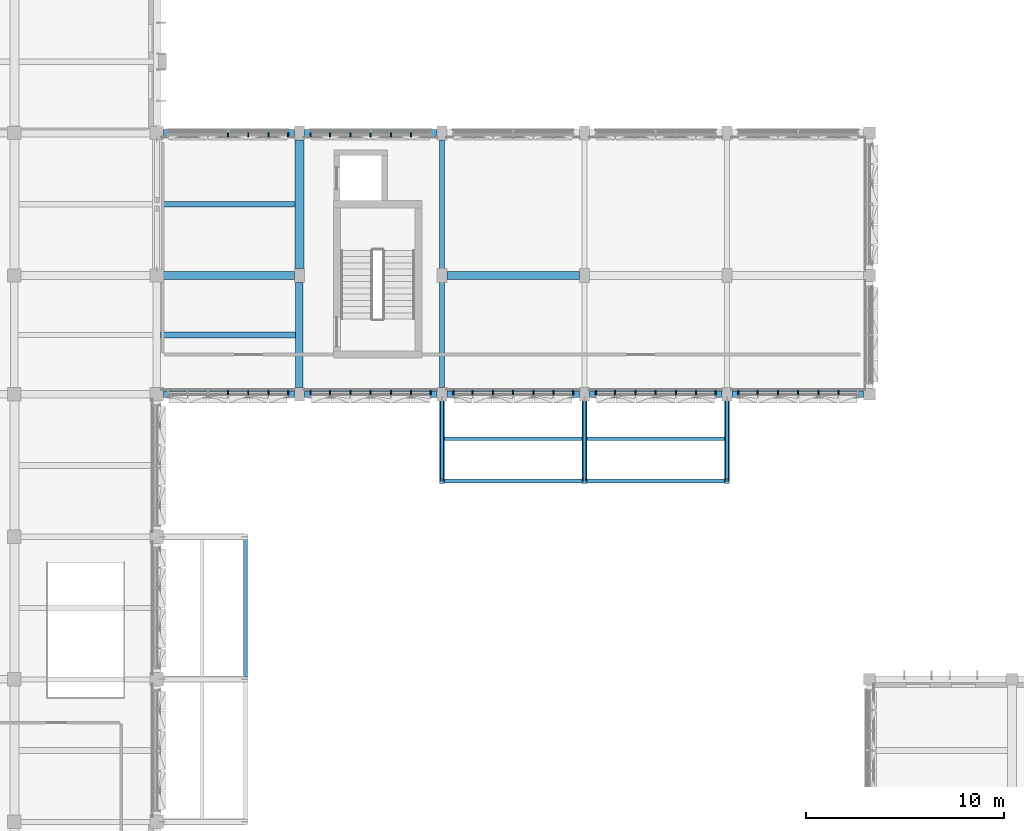
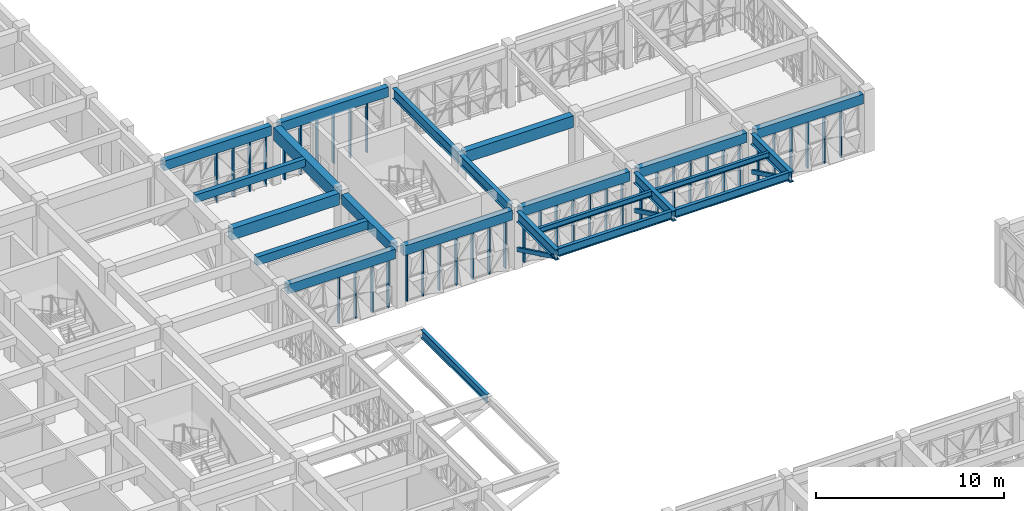
# One storey, part 9 of 88: 44 members, 22 beams, 7 elements without a shape of their own.
"""IFC4 building model written with IfcOpenShell, lengths in metres."""

from ifc_helpers import new_model, si_unit, direction, frame, origin, origin_2d, place, context, subcontext, project, spatial, rectangle, hollow_rectangle, i_section, extrude, material, material_profile, profile_set, type_object, element, aggregate, save


model = new_model("IFC4")

# Units and contexts
model_context = context("Model", 3, precision=1e-05, world=origin(), true_north=direction((0.0, 1.0)))
body_context = subcontext(model_context, "Body", "Model", "MODEL_VIEW")
ifc_project = project(units=[si_unit("LENGTHUNIT", "METRE"), si_unit("AREAUNIT", "SQUARE_METRE"), si_unit("VOLUMEUNIT", "CUBIC_METRE"), si_unit("PLANEANGLEUNIT", "RADIAN"), si_unit("MASSUNIT", "GRAM", prefix="KILO")], contexts=[model_context])

# Site, building, storey
site_placement = place(None, origin())
site = spatial("IfcSite", under=ifc_project, at=site_placement, CompositionType="ELEMENT")
building_placement = place(site_placement, origin())
building = spatial("IfcBuilding", under=site, at=building_placement, Name="Alvorim Cloister Faculty of Sciences", CompositionType="ELEMENT")
storey_placement = place(building_placement, frame((0.0, 0.0, 4.5)))
storey = spatial("IfcBuildingStorey", under=building, at=storey_placement, Name="L01", CompositionType="ELEMENT", Elevation=4.5)

# Beams
ifc_material_1 = material(Name="Concrete C40", Category="concrete")
ifc_material_profile_1 = material_profile(ifc_material_1, rectangle(XDim=0.260009765625, YDim=0.5, at=origin_2d()), Name="RC40-JST-260x500")
ifc_profile_set_1 = profile_set([ifc_material_profile_1], Name="Concrete C40")
beam_type_1 = type_object("IfcBeamType", Name="BM-JST-RC-260x500", PredefinedType="JOIST", material=ifc_profile_set_1)
beam_1_placement = place(storey_placement, frame((29.02490234375, 52.800048828125, 3.5400390625), z_axis=(1.0, 0.0, 0.0), x_axis=(0.0, 1.0, 0.0)))
element("IfcBeam", 1, at=beam_1_placement, inside=storey, type_object=beam_type_1, Name="L01 Secondary Floor Joist BM-1197", PredefinedType="JOIST", context=body_context, shape_type="SweptSolid", body=[
    extrude(rectangle(XDim=0.260009765625, YDim=0.5, at=origin_2d()), origin(), (0.0, 0.0, 1.0), 6.75),
])
ifc_material_profile_2 = material_profile(ifc_material_1, rectangle(XDim=0.300048828125, YDim=0.550048828125, at=origin_2d()), Name="RC40-JST-300x550")
ifc_profile_set_2 = profile_set([ifc_material_profile_2], Name="Concrete C40")
beam_type_2 = type_object("IfcBeamType", Name="BM-JST-RC-300x550", PredefinedType="JOIST", material=ifc_profile_set_2)
beam_2_placement = place(storey_placement, frame((28.989990234375, 46.199951171875, 3.514892578125), z_axis=(1.0, 0.0, 0.0), x_axis=(0.0, 1.0, 0.0)))
element("IfcBeam", 2, at=beam_2_placement, inside=storey, type_object=beam_type_2, Name="L01 Secondary Floor Joist BM-1196", PredefinedType="JOIST", context=body_context, shape_type="SweptSolid", body=[
    extrude(rectangle(XDim=0.300048828125, YDim=0.550048828125, at=origin_2d()), origin(), (0.0, 0.0, 1.0), 6.820068359375),
])
ifc_material_profile_3 = material_profile(ifc_material_1, rectangle(XDim=0.3798828125, YDim=0.64990234375, at=origin_2d()), Name="RC40-BM-380x650")
ifc_profile_set_3 = profile_set([ifc_material_profile_3], Name="Concrete C40")
beam_type_3 = type_object("IfcBeamType", Name="BM-RC-380x650", PredefinedType="BEAM", material=ifc_profile_set_3)
beam_3_placement = place(storey_placement, frame((36.0, 43.550048828125, 3.465087890625), z_axis=(0.0, 1.0, 0.0), x_axis=(-1.0, 0.0, 0.0)))
element("IfcBeam", 3, at=beam_3_placement, inside=storey, type_object=beam_type_3, Name="L01 Primary Girder BM-1094", PredefinedType="BEAM", context=body_context, shape_type="SweptSolid", body=[
    extrude(rectangle(XDim=0.3798828125, YDim=0.64990234375, at=origin_2d()), origin(), (0.0, 0.0, 1.0), 5.300048828125),
])
ifc_material_profile_4 = material_profile(ifc_material_1, rectangle(XDim=0.39990234375, YDim=0.75, at=origin_2d()), Name="RC40-BM-400x750")
ifc_profile_set_4 = profile_set([ifc_material_profile_4], Name="Concrete C40")
beam_type_4 = type_object("IfcBeamType", Name="BM-RC-400x750", PredefinedType="BEAM", material=ifc_profile_set_4)
beam_4_placement = place(storey_placement, frame((29.139892578125, 49.199951171875, 3.4150390625), z_axis=(1.0, 0.0, 0.0), x_axis=(0.0, 1.0, 0.0)))
element("IfcBeam", 4, at=beam_4_placement, inside=storey, type_object=beam_type_4, Name="L01 Primary Beam BM-0977", PredefinedType="BEAM", context=body_context, shape_type="SweptSolid", body=[
    extrude(rectangle(XDim=0.39990234375, YDim=0.75, at=origin_2d()), origin(), (0.0, 0.0, 1.0), 6.610107421875),
])
beam_5_placement = place(storey_placement, frame((43.449951171875, 49.199951171875, 3.4150390625), z_axis=(1.0, 0.0, 0.0), x_axis=(0.0, 1.0, 0.0)))
element("IfcBeam", 5, at=beam_5_placement, inside=storey, type_object=beam_type_4, Name="L01 Primary Beam BM-0978", PredefinedType="BEAM", context=body_context, shape_type="SweptSolid", body=[
    extrude(rectangle(XDim=0.39990234375, YDim=0.75, at=origin_2d()), origin(), (0.0, 0.0, 1.0), 6.699951171875),
])
ifc_material_profile_5 = material_profile(ifc_material_1, rectangle(XDim=0.449951171875, YDim=0.85009765625, at=origin_2d()), Name="RC40-BM-450x850")
ifc_profile_set_5 = profile_set([ifc_material_profile_5], Name="Concrete C40")
beam_type_5 = type_object("IfcBeamType", Name="BM-RC-450x850", PredefinedType="BEAM", material=ifc_profile_set_5)
beam_6_placement = place(storey_placement, frame((36.0, 49.550048828125, 3.364990234375), z_axis=(0.0, 1.0, 0.0), x_axis=(-1.0, 0.0, 0.0)))
element("IfcBeam", 6, at=beam_6_placement, inside=storey, type_object=beam_type_5, Name="L01 Primary Girder BM-1095", PredefinedType="BEAM", context=body_context, shape_type="SweptSolid", body=[
    extrude(rectangle(XDim=0.449951171875, YDim=0.85009765625, at=origin_2d()), origin(), (0.0, 0.0, 1.0), 6.5),
])
ifc_material_profile_6 = material_profile(ifc_material_1, rectangle(XDim=0.35009765625, YDim=0.6201171875, at=origin_2d()), Name="RC40-SPD-350x620")
ifc_profile_set_6 = profile_set([ifc_material_profile_6], Name="Concrete C40")
beam_type_6 = type_object("IfcBeamType", Name="BM-SPD-RC-350x620", PredefinedType="SPANDREL", material=ifc_profile_set_6)
beam_7_placement = place(storey_placement, frame((29.139892578125, 43.199951171875, 3.47998046875), z_axis=(1.0, 0.0, 0.0), x_axis=(0.0, 1.0, 0.0)))
element("IfcBeam", 7, at=beam_7_placement, inside=storey, type_object=beam_type_6, Name="L01 Primary Beam BM-0969", PredefinedType="SPANDREL", context=body_context, shape_type="SweptSolid", body=[
    extrude(rectangle(XDim=0.35009765625, YDim=0.6201171875, at=origin_2d()), origin(), (0.0, 0.0, 1.0), 6.610107421875),
])
for number, where, z_axis, x_axis, name in (
    (8, (36.25, 43.199951171875, 3.47998046875), (1.0, 0.0, 0.0), (0.0, 1.0, 0.0), "L01 Primary Beam BM-0970"),
    (9, (43.449951171875, 43.199951171875, 3.47998046875), (1.0, 0.0, 0.0), (0.0, 1.0, 0.0), "L01 Primary Beam BM-0971"),
):
    element("IfcBeam", number, at=place(storey_placement, frame(where, z_axis=z_axis, x_axis=x_axis)), inside=storey, type_object=beam_type_6, Name=name, PredefinedType="SPANDREL", context=body_context, shape_type="SweptSolid", body=[
        extrude(rectangle(XDim=0.35009765625, YDim=0.6201171875, at=origin_2d()), origin(), (0.0, 0.0, 1.0), 6.699951171875),
    ])
beam_8_placement = place(storey_placement, frame((50.64990234375, 43.199951171875, 3.47998046875), z_axis=(1.0, 0.0, 0.0), x_axis=(0.0, 1.0, 0.0)))
element("IfcBeam", 10, at=beam_8_placement, inside=storey, type_object=beam_type_6, Name="L01 Primary Beam BM-0972", PredefinedType="SPANDREL", context=body_context, shape_type="SweptSolid", body=[
    extrude(rectangle(XDim=0.35009765625, YDim=0.6201171875, at=origin_2d()), origin(), (0.0, 0.0, 1.0), 6.7001953125),
])
beam_9_placement = place(storey_placement, frame((57.85009765625, 43.199951171875, 3.47998046875), z_axis=(1.0, 0.0, 0.0), x_axis=(0.0, 1.0, 0.0)))
element("IfcBeam", 11, at=beam_9_placement, inside=storey, type_object=beam_type_6, Name="L01 Primary Beam BM-0973", PredefinedType="SPANDREL", context=body_context, shape_type="SweptSolid", body=[
    extrude(rectangle(XDim=0.35009765625, YDim=0.6201171875, at=origin_2d()), origin(), (0.0, 0.0, 1.0), 6.64990234375),
])
beam_10_placement = place(storey_placement, frame((29.139892578125, 56.39990234375, 3.47998046875), z_axis=(1.0, 0.0, 0.0), x_axis=(0.0, 1.0, 0.0)))
element("IfcBeam", 12, at=beam_10_placement, inside=storey, type_object=beam_type_6, Name="L01 Primary Beam BM-0985", PredefinedType="SPANDREL", context=body_context, shape_type="SweptSolid", body=[
    extrude(rectangle(XDim=0.35009765625, YDim=0.6201171875, at=origin_2d()), origin(), (0.0, 0.0, 1.0), 6.610107421875),
])
beam_11_placement = place(storey_placement, frame((36.25, 56.39990234375, 3.47998046875), z_axis=(1.0, 0.0, 0.0), x_axis=(0.0, 1.0, 0.0)))
element("IfcBeam", 13, at=beam_11_placement, inside=storey, type_object=beam_type_6, Name="L01 Primary Beam BM-0986", PredefinedType="SPANDREL", context=body_context, shape_type="SweptSolid", body=[
    extrude(rectangle(XDim=0.35009765625, YDim=0.6201171875, at=origin_2d()), origin(), (0.0, 0.0, 1.0), 6.699951171875),
])
ifc_material_2 = material(Name="Steel ASTM A572 Grade 50", Category="steel")
ifc_material_profile_7 = material_profile(ifc_material_2, i_section(OverallWidth=0.1708984375, OverallDepth=0.35498046875, WebThickness=0.007080078125, FlangeThickness=0.01171875, FilletRadius=0.012939453125, at=origin_2d()), Name="W360x51.0")
ifc_profile_set_7 = profile_set([ifc_material_profile_7], Name="Steel ASTM A572 Grade 50")
beam_type_7 = type_object("IfcBeamType", Name="BM-STL-W360", PredefinedType="JOIST", material=ifc_profile_set_7)
for number, where, z_axis, x_axis, name in (
    (14, (43.31005859375, 40.949951171875, 3.612548828125), (1.0, 0.0, 0.0), (0.0, 1.0, 0.0), "L01 Cantilever Deck Joist BM-0038"),
    (15, (50.510009765625, 40.949951171875, 3.612548828125), (1.0, 0.0, 0.0), (0.0, 1.0, 0.0), "L01 Cantilever Deck Joist BM-0040"),
):
    element("IfcBeam", number, at=place(storey_placement, frame(where, z_axis=z_axis, x_axis=x_axis)), inside=storey, type_object=beam_type_7, Name=name, PredefinedType="JOIST", context=body_context, shape_type="SweptSolid", body=[
        extrude(i_section(OverallWidth=0.1708984375, OverallDepth=0.35498046875, WebThickness=0.007080078125, FlangeThickness=0.01171875, FilletRadius=0.012939453125, at=origin_2d()), origin(), (0.0, 0.0, 1.0), 6.97998046875),
    ])
ifc_material_profile_8 = material_profile(ifc_material_2, i_section(OverallWidth=0.208984375, OverallDepth=0.532958984375, WebThickness=0.01025390625, FlangeThickness=0.015625, FilletRadius=0.01611328125, at=origin_2d()), Name="W530x92.0")
ifc_profile_set_8 = profile_set([ifc_material_profile_8], Name="Steel ASTM A572 Grade 50")
beam_type_8 = type_object("IfcBeamType", Name="BM-STL-W530", PredefinedType="BEAM", material=ifc_profile_set_8)
for number, where, z_axis, x_axis, name in (
    (16, (33.280029296875, 28.909912109375, 3.5234375), (0.0, 1.0, 0.0), (-1.0, 0.0, 0.0), "L01 Cantilever Tip Header Girder BM-0009"),
    (17, (43.31005859375, 38.820068359375, 3.5234375), (1.0, 0.0, 0.0), (0.0, 1.0, 0.0), "L01 Cantilever Tip Header Girder BM-0037"),
    (18, (50.510009765625, 38.820068359375, 3.5234375), (1.0, 0.0, 0.0), (0.0, 1.0, 0.0), "L01 Cantilever Tip Header Girder BM-0039"),
):
    element("IfcBeam", number, at=place(storey_placement, frame(where, z_axis=z_axis, x_axis=x_axis)), inside=storey, type_object=beam_type_8, Name=name, PredefinedType="BEAM", context=body_context, shape_type="SweptSolid", body=[
        extrude(i_section(OverallWidth=0.208984375, OverallDepth=0.532958984375, WebThickness=0.01025390625, FlangeThickness=0.015625, FilletRadius=0.01611328125, at=origin_2d()), origin(), (0.0, 0.0, 1.0), 6.97998046875),
    ])
ifc_material_profile_9 = material_profile(ifc_material_2, i_section(OverallWidth=0.25390625, OverallDepth=0.68408203125, WebThickness=0.012451171875, FlangeThickness=0.01904296875, FilletRadius=0.01904296875, at=origin_2d()), Name="W690x140.0")
ifc_profile_set_9 = profile_set([ifc_material_profile_9], Name="Steel ASTM A572 Grade 50")
beam_type_9 = type_object("IfcBeamType", Name="BM-STL-W690", PredefinedType="BEAM", material=ifc_profile_set_9)
beam_12_placement = place(storey_placement, frame((43.199951171875, 43.550048828125, 3.447998046875), z_axis=(0.0, 1.0, 0.0), x_axis=(-1.0, 0.0, 0.0)))
element("IfcBeam", 19, at=beam_12_placement, inside=storey, type_object=beam_type_9, Name="L01 Cantilever Backspan Girder BM-0031", PredefinedType="BEAM", context=body_context, shape_type="SweptSolid", body=[
    extrude(i_section(OverallWidth=0.25390625, OverallDepth=0.68408203125, WebThickness=0.012451171875, FlangeThickness=0.01904296875, FilletRadius=0.01904296875, at=origin_2d()), origin(), (0.0, 0.0, 1.0), 12.5),
])
for number, where, z_axis, x_axis, name in (
    (20, (43.199951171875, 38.699951171875, 3.447998046875), (0.0, 1.0, 0.0), (-1.0, 0.0, 0.0), "L01 Cantilever Overhang Girder BM-0032"),
    (21, (50.39990234375, 38.699951171875, 3.447998046875), (0.0, 1.0, 0.0), (-1.0, 0.0, 0.0), "L01 Cantilever Overhang Girder BM-0034"),
    (22, (57.60009765625, 38.699951171875, 3.447998046875), (0.0, 1.0, 0.0), (-1.0, 0.0, 0.0), "L01 Cantilever Overhang Girder BM-0036"),
):
    element("IfcBeam", number, at=place(storey_placement, frame(where, z_axis=z_axis, x_axis=x_axis)), inside=storey, type_object=beam_type_9, Name=name, PredefinedType="BEAM", context=body_context, shape_type="SweptSolid", body=[
        extrude(i_section(OverallWidth=0.25390625, OverallDepth=0.68408203125, WebThickness=0.012451171875, FlangeThickness=0.01904296875, FilletRadius=0.01904296875, at=origin_2d()), origin(), (0.0, 0.0, 1.0), 4.150146484375),
    ])

# Curtain wall, members
ifc_material_3 = material(Name="Aluminium and Low-E Glass Curtain Wall", Category="aluminium")
curtain_wall_type = type_object("IfcCurtainWallType", Name="CW-TRI-6120x3170", PredefinedType="USERDEFINED", material=ifc_material_3)
curtain_wall_1_placement = place(storey_placement, origin())
curtain_wall_1 = element("IfcCurtainWall", 23, at=curtain_wall_1_placement, inside=storey, type_object=curtain_wall_type, Name="L01 Diagonal Cassette Curtain Wall CW-0012", ObjectType="UNITISED CURTAIN WALL", PredefinedType="USERDEFINED")
ifc_material_4 = material(Name="Aluminium Alloy 6063-T6", Category="aluminium")
ifc_material_profile_10 = material_profile(ifc_material_4, rectangle(XDim=0.074951171875, YDim=0.219970703125, at=origin_2d()), Name="ALU-MUL-75x220")
ifc_profile_set_10 = profile_set([ifc_material_profile_10], Name="Aluminium Alloy 6063-T6")
member_type_1 = type_object("IfcMemberType", Name="CW-MUL-75x220", PredefinedType="MULLION", material=ifc_profile_set_10)
member_1_placement = place(storey_placement, frame((32.39990234375, 56.31005859375, 0.0), z_axis=(0.0, 0.0, 1.0), x_axis=(1.0, 0.0, 0.0)))
member_1 = element("IfcMember", 24, at=member_1_placement, type_object=member_type_1, Name="CW-0012 Mullion 4", PredefinedType="MULLION", context=body_context, shape_type="SweptSolid", body=[
    extrude(rectangle(XDim=0.074951171875, YDim=0.219970703125, at=origin_2d()), origin(), (0.0, 0.0, 1.0), 3.169921875),
])
member_2_placement = place(storey_placement, frame((33.419921875, 56.31005859375, 0.0), z_axis=(0.0, 0.0, 1.0), x_axis=(1.0, 0.0, 0.0)))
member_2 = element("IfcMember", 25, at=member_2_placement, type_object=member_type_1, Name="CW-0012 Mullion 5", PredefinedType="MULLION", context=body_context, shape_type="SweptSolid", body=[
    extrude(rectangle(XDim=0.074951171875, YDim=0.219970703125, at=origin_2d()), origin(), (0.0, 0.0, 1.0), 3.169921875),
])
member_3_placement = place(storey_placement, frame((34.43994140625, 56.31005859375, 0.0), z_axis=(0.0, 0.0, 1.0), x_axis=(1.0, 0.0, 0.0)))
member_3 = element("IfcMember", 26, at=member_3_placement, type_object=member_type_1, Name="CW-0012 Mullion 6", PredefinedType="MULLION", context=body_context, shape_type="SweptSolid", body=[
    extrude(rectangle(XDim=0.074951171875, YDim=0.219970703125, at=origin_2d()), origin(), (0.0, 0.0, 1.0), 3.169921875),
])
member_4_placement = place(storey_placement, frame((35.422607421875, 56.31005859375, 0.0), z_axis=(0.0, 0.0, 1.0), x_axis=(1.0, 0.0, 0.0)))
member_4 = element("IfcMember", 27, at=member_4_placement, type_object=member_type_1, Name="CW-0012 Mullion 7", PredefinedType="MULLION", context=body_context, shape_type="SweptSolid", body=[
    extrude(rectangle(XDim=0.074951171875, YDim=0.219970703125, at=origin_2d()), origin(), (0.0, 0.0, 1.0), 3.169921875),
])
aggregate(curtain_wall_1, [member_1, member_2, member_3, member_4])

curtain_wall_2_placement = place(storey_placement, origin())
curtain_wall_2 = element("IfcCurtainWall", 28, at=curtain_wall_2_placement, inside=storey, type_object=curtain_wall_type, Name="L01 Diagonal Cassette Curtain Wall CW-0013", ObjectType="UNITISED CURTAIN WALL", PredefinedType="USERDEFINED")
member_5_placement = place(storey_placement, frame((36.577392578125, 56.31005859375, 0.0), z_axis=(0.0, 0.0, 1.0), x_axis=(1.0, 0.0, 0.0)))
member_5 = element("IfcMember", 29, at=member_5_placement, type_object=member_type_1, Name="CW-0013 Mullion 1", PredefinedType="MULLION", context=body_context, shape_type="SweptSolid", body=[
    extrude(rectangle(XDim=0.074951171875, YDim=0.219970703125, at=origin_2d()), origin(), (0.0, 0.0, 1.0), 3.169921875),
])
member_6_placement = place(storey_placement, frame((37.56005859375, 56.31005859375, 0.0), z_axis=(0.0, 0.0, 1.0), x_axis=(1.0, 0.0, 0.0)))
member_6 = element("IfcMember", 30, at=member_6_placement, type_object=member_type_1, Name="CW-0013 Mullion 2", PredefinedType="MULLION", context=body_context, shape_type="SweptSolid", body=[
    extrude(rectangle(XDim=0.074951171875, YDim=0.219970703125, at=origin_2d()), origin(), (0.0, 0.0, 1.0), 3.169921875),
])
member_7_placement = place(storey_placement, frame((38.580078125, 56.31005859375, 0.0), z_axis=(0.0, 0.0, 1.0), x_axis=(1.0, 0.0, 0.0)))
member_7 = element("IfcMember", 31, at=member_7_placement, type_object=member_type_1, Name="CW-0013 Mullion 3", PredefinedType="MULLION", context=body_context, shape_type="SweptSolid", body=[
    extrude(rectangle(XDim=0.074951171875, YDim=0.219970703125, at=origin_2d()), origin(), (0.0, 0.0, 1.0), 3.169921875),
])
member_8_placement = place(storey_placement, frame((39.60009765625, 56.31005859375, 0.0), z_axis=(0.0, 0.0, 1.0), x_axis=(1.0, 0.0, 0.0)))
member_8 = element("IfcMember", 32, at=member_8_placement, type_object=member_type_1, Name="CW-0013 Mullion 4", PredefinedType="MULLION", context=body_context, shape_type="SweptSolid", body=[
    extrude(rectangle(XDim=0.074951171875, YDim=0.219970703125, at=origin_2d()), origin(), (0.0, 0.0, 1.0), 3.169921875),
])
member_9_placement = place(storey_placement, frame((40.6201171875, 56.31005859375, 0.0), z_axis=(0.0, 0.0, 1.0), x_axis=(1.0, 0.0, 0.0)))
member_9 = element("IfcMember", 33, at=member_9_placement, type_object=member_type_1, Name="CW-0013 Mullion 5", PredefinedType="MULLION", context=body_context, shape_type="SweptSolid", body=[
    extrude(rectangle(XDim=0.074951171875, YDim=0.219970703125, at=origin_2d()), origin(), (0.0, 0.0, 1.0), 3.169921875),
])
member_10_placement = place(storey_placement, frame((41.639892578125, 56.31005859375, 0.0), z_axis=(0.0, 0.0, 1.0), x_axis=(1.0, 0.0, 0.0)))
member_10 = element("IfcMember", 34, at=member_10_placement, type_object=member_type_1, Name="CW-0013 Mullion 6", PredefinedType="MULLION", context=body_context, shape_type="SweptSolid", body=[
    extrude(rectangle(XDim=0.074951171875, YDim=0.219970703125, at=origin_2d()), origin(), (0.0, 0.0, 1.0), 3.169921875),
])
aggregate(curtain_wall_2, [member_5, member_6, member_7, member_8, member_9, member_10])

curtain_wall_3_placement = place(storey_placement, origin())
curtain_wall_3 = element("IfcCurtainWall", 35, at=curtain_wall_3_placement, inside=storey, type_object=curtain_wall_type, Name="L01 Diagonal Cassette Curtain Wall CW-0019", ObjectType="UNITISED CURTAIN WALL", PredefinedType="USERDEFINED")
member_11_placement = place(storey_placement, frame((58.177490234375, 43.2900390625, 0.0), z_axis=(0.0, 0.0, 1.0), x_axis=(1.0, 0.0, 0.0)))
member_11 = element("IfcMember", 36, at=member_11_placement, type_object=member_type_1, Name="CW-0019 Mullion 1", PredefinedType="MULLION", context=body_context, shape_type="SweptSolid", body=[
    extrude(rectangle(XDim=0.074951171875, YDim=0.219970703125, at=origin_2d()), origin(), (0.0, 0.0, 1.0), 3.169921875),
])
member_12_placement = place(storey_placement, frame((59.159912109375, 43.2900390625, 0.0), z_axis=(0.0, 0.0, 1.0), x_axis=(1.0, 0.0, 0.0)))
member_12 = element("IfcMember", 37, at=member_12_placement, type_object=member_type_1, Name="CW-0019 Mullion 2", PredefinedType="MULLION", context=body_context, shape_type="SweptSolid", body=[
    extrude(rectangle(XDim=0.074951171875, YDim=0.219970703125, at=origin_2d()), origin(), (0.0, 0.0, 1.0), 3.169921875),
])
member_13_placement = place(storey_placement, frame((60.179931640625, 43.2900390625, 0.0), z_axis=(0.0, 0.0, 1.0), x_axis=(1.0, 0.0, 0.0)))
member_13 = element("IfcMember", 38, at=member_13_placement, type_object=member_type_1, Name="CW-0019 Mullion 3", PredefinedType="MULLION", context=body_context, shape_type="SweptSolid", body=[
    extrude(rectangle(XDim=0.074951171875, YDim=0.219970703125, at=origin_2d()), origin(), (0.0, 0.0, 1.0), 3.169921875),
])
member_14_placement = place(storey_placement, frame((61.199951171875, 43.2900390625, 0.0), z_axis=(0.0, 0.0, 1.0), x_axis=(1.0, 0.0, 0.0)))
member_14 = element("IfcMember", 39, at=member_14_placement, type_object=member_type_1, Name="CW-0019 Mullion 4", PredefinedType="MULLION", context=body_context, shape_type="SweptSolid", body=[
    extrude(rectangle(XDim=0.074951171875, YDim=0.219970703125, at=origin_2d()), origin(), (0.0, 0.0, 1.0), 3.169921875),
])
member_15_placement = place(storey_placement, frame((62.219970703125, 43.2900390625, 0.0), z_axis=(0.0, 0.0, 1.0), x_axis=(1.0, 0.0, 0.0)))
member_15 = element("IfcMember", 40, at=member_15_placement, type_object=member_type_1, Name="CW-0019 Mullion 5", PredefinedType="MULLION", context=body_context, shape_type="SweptSolid", body=[
    extrude(rectangle(XDim=0.074951171875, YDim=0.219970703125, at=origin_2d()), origin(), (0.0, 0.0, 1.0), 3.169921875),
])
member_16_placement = place(storey_placement, frame((63.239990234375, 43.2900390625, 0.0), z_axis=(0.0, 0.0, 1.0), x_axis=(1.0, 0.0, 0.0)))
member_16 = element("IfcMember", 41, at=member_16_placement, type_object=member_type_1, Name="CW-0019 Mullion 6", PredefinedType="MULLION", context=body_context, shape_type="SweptSolid", body=[
    extrude(rectangle(XDim=0.074951171875, YDim=0.219970703125, at=origin_2d()), origin(), (0.0, 0.0, 1.0), 3.169921875),
])
aggregate(curtain_wall_3, [member_11, member_12, member_13, member_14, member_15, member_16])

curtain_wall_4_placement = place(storey_placement, origin())
curtain_wall_4 = element("IfcCurtainWall", 42, at=curtain_wall_4_placement, inside=storey, type_object=curtain_wall_type, Name="L01 Diagonal Cassette Curtain Wall CW-0020", ObjectType="UNITISED CURTAIN WALL", PredefinedType="USERDEFINED")
member_17_placement = place(storey_placement, frame((50.9775390625, 43.2900390625, 0.0), z_axis=(0.0, 0.0, 1.0), x_axis=(1.0, 0.0, 0.0)))
member_17 = element("IfcMember", 43, at=member_17_placement, type_object=member_type_1, Name="CW-0020 Mullion 1", PredefinedType="MULLION", context=body_context, shape_type="SweptSolid", body=[
    extrude(rectangle(XDim=0.074951171875, YDim=0.219970703125, at=origin_2d()), origin(), (0.0, 0.0, 1.0), 3.169921875),
])
member_18_placement = place(storey_placement, frame((51.9599609375, 43.2900390625, 0.0), z_axis=(0.0, 0.0, 1.0), x_axis=(1.0, 0.0, 0.0)))
member_18 = element("IfcMember", 44, at=member_18_placement, type_object=member_type_1, Name="CW-0020 Mullion 2", PredefinedType="MULLION", context=body_context, shape_type="SweptSolid", body=[
    extrude(rectangle(XDim=0.074951171875, YDim=0.219970703125, at=origin_2d()), origin(), (0.0, 0.0, 1.0), 3.169921875),
])
member_19_placement = place(storey_placement, frame((52.97998046875, 43.2900390625, 0.0), z_axis=(0.0, 0.0, 1.0), x_axis=(1.0, 0.0, 0.0)))
member_19 = element("IfcMember", 45, at=member_19_placement, type_object=member_type_1, Name="CW-0020 Mullion 3", PredefinedType="MULLION", context=body_context, shape_type="SweptSolid", body=[
    extrude(rectangle(XDim=0.074951171875, YDim=0.219970703125, at=origin_2d()), origin(), (0.0, 0.0, 1.0), 3.169921875),
])
member_20_placement = place(storey_placement, frame((54.0, 43.2900390625, 0.0), z_axis=(0.0, 0.0, 1.0), x_axis=(1.0, 0.0, 0.0)))
member_20 = element("IfcMember", 46, at=member_20_placement, type_object=member_type_1, Name="CW-0020 Mullion 4", PredefinedType="MULLION", context=body_context, shape_type="SweptSolid", body=[
    extrude(rectangle(XDim=0.074951171875, YDim=0.219970703125, at=origin_2d()), origin(), (0.0, 0.0, 1.0), 3.169921875),
])
member_21_placement = place(storey_placement, frame((55.02001953125, 43.2900390625, 0.0), z_axis=(0.0, 0.0, 1.0), x_axis=(1.0, 0.0, 0.0)))
member_21 = element("IfcMember", 47, at=member_21_placement, type_object=member_type_1, Name="CW-0020 Mullion 5", PredefinedType="MULLION", context=body_context, shape_type="SweptSolid", body=[
    extrude(rectangle(XDim=0.074951171875, YDim=0.219970703125, at=origin_2d()), origin(), (0.0, 0.0, 1.0), 3.169921875),
])
member_22_placement = place(storey_placement, frame((56.0400390625, 43.2900390625, 0.0), z_axis=(0.0, 0.0, 1.0), x_axis=(1.0, 0.0, 0.0)))
member_22 = element("IfcMember", 48, at=member_22_placement, type_object=member_type_1, Name="CW-0020 Mullion 6", PredefinedType="MULLION", context=body_context, shape_type="SweptSolid", body=[
    extrude(rectangle(XDim=0.074951171875, YDim=0.219970703125, at=origin_2d()), origin(), (0.0, 0.0, 1.0), 3.169921875),
])
member_23_placement = place(storey_placement, frame((57.0224609375, 43.2900390625, 0.0), z_axis=(0.0, 0.0, 1.0), x_axis=(1.0, 0.0, 0.0)))
member_23 = element("IfcMember", 49, at=member_23_placement, type_object=member_type_1, Name="CW-0020 Mullion 7", PredefinedType="MULLION", context=body_context, shape_type="SweptSolid", body=[
    extrude(rectangle(XDim=0.074951171875, YDim=0.219970703125, at=origin_2d()), origin(), (0.0, 0.0, 1.0), 3.169921875),
])
aggregate(curtain_wall_4, [member_17, member_18, member_19, member_20, member_21, member_22, member_23])

curtain_wall_5_placement = place(storey_placement, origin())
curtain_wall_5 = element("IfcCurtainWall", 50, at=curtain_wall_5_placement, inside=storey, type_object=curtain_wall_type, Name="L01 Diagonal Cassette Curtain Wall CW-0021", ObjectType="UNITISED CURTAIN WALL", PredefinedType="USERDEFINED")
member_24_placement = place(storey_placement, frame((43.777587890625, 43.2900390625, 0.0), z_axis=(0.0, 0.0, 1.0), x_axis=(1.0, 0.0, 0.0)))
member_24 = element("IfcMember", 51, at=member_24_placement, type_object=member_type_1, Name="CW-0021 Mullion 1", PredefinedType="MULLION", context=body_context, shape_type="SweptSolid", body=[
    extrude(rectangle(XDim=0.074951171875, YDim=0.219970703125, at=origin_2d()), origin(), (0.0, 0.0, 1.0), 3.169921875),
])
member_25_placement = place(storey_placement, frame((44.760009765625, 43.2900390625, 0.0), z_axis=(0.0, 0.0, 1.0), x_axis=(1.0, 0.0, 0.0)))
member_25 = element("IfcMember", 52, at=member_25_placement, type_object=member_type_1, Name="CW-0021 Mullion 2", PredefinedType="MULLION", context=body_context, shape_type="SweptSolid", body=[
    extrude(rectangle(XDim=0.074951171875, YDim=0.219970703125, at=origin_2d()), origin(), (0.0, 0.0, 1.0), 3.169921875),
])
member_26_placement = place(storey_placement, frame((45.780029296875, 43.2900390625, 0.0), z_axis=(0.0, 0.0, 1.0), x_axis=(1.0, 0.0, 0.0)))
member_26 = element("IfcMember", 53, at=member_26_placement, type_object=member_type_1, Name="CW-0021 Mullion 3", PredefinedType="MULLION", context=body_context, shape_type="SweptSolid", body=[
    extrude(rectangle(XDim=0.074951171875, YDim=0.219970703125, at=origin_2d()), origin(), (0.0, 0.0, 1.0), 3.169921875),
])
member_27_placement = place(storey_placement, frame((46.800048828125, 43.2900390625, 0.0), z_axis=(0.0, 0.0, 1.0), x_axis=(1.0, 0.0, 0.0)))
member_27 = element("IfcMember", 54, at=member_27_placement, type_object=member_type_1, Name="CW-0021 Mullion 4", PredefinedType="MULLION", context=body_context, shape_type="SweptSolid", body=[
    extrude(rectangle(XDim=0.074951171875, YDim=0.219970703125, at=origin_2d()), origin(), (0.0, 0.0, 1.0), 3.169921875),
])
member_28_placement = place(storey_placement, frame((47.820068359375, 43.2900390625, 0.0), z_axis=(0.0, 0.0, 1.0), x_axis=(1.0, 0.0, 0.0)))
member_28 = element("IfcMember", 55, at=member_28_placement, type_object=member_type_1, Name="CW-0021 Mullion 5", PredefinedType="MULLION", context=body_context, shape_type="SweptSolid", body=[
    extrude(rectangle(XDim=0.074951171875, YDim=0.219970703125, at=origin_2d()), origin(), (0.0, 0.0, 1.0), 3.169921875),
])
member_29_placement = place(storey_placement, frame((48.840087890625, 43.2900390625, 0.0), z_axis=(0.0, 0.0, 1.0), x_axis=(1.0, 0.0, 0.0)))
member_29 = element("IfcMember", 56, at=member_29_placement, type_object=member_type_1, Name="CW-0021 Mullion 6", PredefinedType="MULLION", context=body_context, shape_type="SweptSolid", body=[
    extrude(rectangle(XDim=0.074951171875, YDim=0.219970703125, at=origin_2d()), origin(), (0.0, 0.0, 1.0), 3.169921875),
])
member_30_placement = place(storey_placement, frame((49.822509765625, 43.2900390625, 0.0), z_axis=(0.0, 0.0, 1.0), x_axis=(1.0, 0.0, 0.0)))
member_30 = element("IfcMember", 57, at=member_30_placement, type_object=member_type_1, Name="CW-0021 Mullion 7", PredefinedType="MULLION", context=body_context, shape_type="SweptSolid", body=[
    extrude(rectangle(XDim=0.074951171875, YDim=0.219970703125, at=origin_2d()), origin(), (0.0, 0.0, 1.0), 3.169921875),
])
aggregate(curtain_wall_5, [member_24, member_25, member_26, member_27, member_28, member_29, member_30])

curtain_wall_6_placement = place(storey_placement, origin())
curtain_wall_6 = element("IfcCurtainWall", 58, at=curtain_wall_6_placement, inside=storey, type_object=curtain_wall_type, Name="L01 Diagonal Cassette Curtain Wall CW-0022", ObjectType="UNITISED CURTAIN WALL", PredefinedType="USERDEFINED")
member_31_placement = place(storey_placement, frame((36.577392578125, 43.2900390625, 0.0), z_axis=(0.0, 0.0, 1.0), x_axis=(1.0, 0.0, 0.0)))
member_31 = element("IfcMember", 59, at=member_31_placement, type_object=member_type_1, Name="CW-0022 Mullion 1", PredefinedType="MULLION", context=body_context, shape_type="SweptSolid", body=[
    extrude(rectangle(XDim=0.074951171875, YDim=0.219970703125, at=origin_2d()), origin(), (0.0, 0.0, 1.0), 3.169921875),
])
member_32_placement = place(storey_placement, frame((37.56005859375, 43.2900390625, 0.0), z_axis=(0.0, 0.0, 1.0), x_axis=(1.0, 0.0, 0.0)))
member_32 = element("IfcMember", 60, at=member_32_placement, type_object=member_type_1, Name="CW-0022 Mullion 2", PredefinedType="MULLION", context=body_context, shape_type="SweptSolid", body=[
    extrude(rectangle(XDim=0.074951171875, YDim=0.219970703125, at=origin_2d()), origin(), (0.0, 0.0, 1.0), 3.169921875),
])
member_33_placement = place(storey_placement, frame((38.580078125, 43.2900390625, 0.0), z_axis=(0.0, 0.0, 1.0), x_axis=(1.0, 0.0, 0.0)))
member_33 = element("IfcMember", 61, at=member_33_placement, type_object=member_type_1, Name="CW-0022 Mullion 3", PredefinedType="MULLION", context=body_context, shape_type="SweptSolid", body=[
    extrude(rectangle(XDim=0.074951171875, YDim=0.219970703125, at=origin_2d()), origin(), (0.0, 0.0, 1.0), 3.169921875),
])
member_34_placement = place(storey_placement, frame((39.60009765625, 43.2900390625, 0.0), z_axis=(0.0, 0.0, 1.0), x_axis=(1.0, 0.0, 0.0)))
member_34 = element("IfcMember", 62, at=member_34_placement, type_object=member_type_1, Name="CW-0022 Mullion 4", PredefinedType="MULLION", context=body_context, shape_type="SweptSolid", body=[
    extrude(rectangle(XDim=0.074951171875, YDim=0.219970703125, at=origin_2d()), origin(), (0.0, 0.0, 1.0), 3.169921875),
])
member_35_placement = place(storey_placement, frame((40.6201171875, 43.2900390625, 0.0), z_axis=(0.0, 0.0, 1.0), x_axis=(1.0, 0.0, 0.0)))
member_35 = element("IfcMember", 63, at=member_35_placement, type_object=member_type_1, Name="CW-0022 Mullion 5", PredefinedType="MULLION", context=body_context, shape_type="SweptSolid", body=[
    extrude(rectangle(XDim=0.074951171875, YDim=0.219970703125, at=origin_2d()), origin(), (0.0, 0.0, 1.0), 3.169921875),
])
member_36_placement = place(storey_placement, frame((41.639892578125, 43.2900390625, 0.0), z_axis=(0.0, 0.0, 1.0), x_axis=(1.0, 0.0, 0.0)))
member_36 = element("IfcMember", 64, at=member_36_placement, type_object=member_type_1, Name="CW-0022 Mullion 6", PredefinedType="MULLION", context=body_context, shape_type="SweptSolid", body=[
    extrude(rectangle(XDim=0.074951171875, YDim=0.219970703125, at=origin_2d()), origin(), (0.0, 0.0, 1.0), 3.169921875),
])
member_37_placement = place(storey_placement, frame((42.62255859375, 43.2900390625, 0.0), z_axis=(0.0, 0.0, 1.0), x_axis=(1.0, 0.0, 0.0)))
member_37 = element("IfcMember", 65, at=member_37_placement, type_object=member_type_1, Name="CW-0022 Mullion 7", PredefinedType="MULLION", context=body_context, shape_type="SweptSolid", body=[
    extrude(rectangle(XDim=0.074951171875, YDim=0.219970703125, at=origin_2d()), origin(), (0.0, 0.0, 1.0), 3.169921875),
])
aggregate(curtain_wall_6, [member_31, member_32, member_33, member_34, member_35, member_36, member_37])

curtain_wall_7_placement = place(storey_placement, origin())
curtain_wall_7 = element("IfcCurtainWall", 66, at=curtain_wall_7_placement, inside=storey, type_object=curtain_wall_type, Name="L01 Diagonal Cassette Curtain Wall CW-0023", ObjectType="UNITISED CURTAIN WALL", PredefinedType="USERDEFINED")
member_38_placement = place(storey_placement, frame((32.39990234375, 43.2900390625, 0.0), z_axis=(0.0, 0.0, 1.0), x_axis=(1.0, 0.0, 0.0)))
member_38 = element("IfcMember", 67, at=member_38_placement, type_object=member_type_1, Name="CW-0023 Mullion 4", PredefinedType="MULLION", context=body_context, shape_type="SweptSolid", body=[
    extrude(rectangle(XDim=0.074951171875, YDim=0.219970703125, at=origin_2d()), origin(), (0.0, 0.0, 1.0), 3.169921875),
])
member_39_placement = place(storey_placement, frame((33.419921875, 43.2900390625, 0.0), z_axis=(0.0, 0.0, 1.0), x_axis=(1.0, 0.0, 0.0)))
member_39 = element("IfcMember", 68, at=member_39_placement, type_object=member_type_1, Name="CW-0023 Mullion 5", PredefinedType="MULLION", context=body_context, shape_type="SweptSolid", body=[
    extrude(rectangle(XDim=0.074951171875, YDim=0.219970703125, at=origin_2d()), origin(), (0.0, 0.0, 1.0), 3.169921875),
])
member_40_placement = place(storey_placement, frame((34.43994140625, 43.2900390625, 0.0), z_axis=(0.0, 0.0, 1.0), x_axis=(1.0, 0.0, 0.0)))
member_40 = element("IfcMember", 69, at=member_40_placement, type_object=member_type_1, Name="CW-0023 Mullion 6", PredefinedType="MULLION", context=body_context, shape_type="SweptSolid", body=[
    extrude(rectangle(XDim=0.074951171875, YDim=0.219970703125, at=origin_2d()), origin(), (0.0, 0.0, 1.0), 3.169921875),
])
member_41_placement = place(storey_placement, frame((35.422607421875, 43.2900390625, 0.0), z_axis=(0.0, 0.0, 1.0), x_axis=(1.0, 0.0, 0.0)))
member_41 = element("IfcMember", 70, at=member_41_placement, type_object=member_type_1, Name="CW-0023 Mullion 7", PredefinedType="MULLION", context=body_context, shape_type="SweptSolid", body=[
    extrude(rectangle(XDim=0.074951171875, YDim=0.219970703125, at=origin_2d()), origin(), (0.0, 0.0, 1.0), 3.169921875),
])
aggregate(curtain_wall_7, [member_38, member_39, member_40, member_41])

# Members
ifc_material_profile_11 = material_profile(ifc_material_2, hollow_rectangle(XDim=0.14990234375, YDim=0.25, WallThickness=0.010009765625, at=origin_2d()), Name="RHS250x150x10")
ifc_profile_set_11 = profile_set([ifc_material_profile_11], Name="Steel ASTM A572 Grade 50")
member_type_2 = type_object("IfcMemberType", Name="MB-BRC-RHS250", PredefinedType="BRACE", material=ifc_profile_set_11)
for number, where, z_axis, x_axis, name in (
    (71, (43.199951171875, 42.919921875, 1.25), (0.0, -0.899713185524, 0.436481596168), (1.0, 0.0, 0.0), "L01 Cantilever Raker Strut MB-0004"),
    (72, (50.39990234375, 42.919921875, 1.25), (0.0, -0.899713185524, 0.436481596168), (1.0, 0.0, 0.0), "L01 Cantilever Raker Strut MB-0005"),
    (73, (57.60009765625, 42.919921875, 1.25), (0.0, -0.899713185524, 0.436481596168), (1.0, 0.0, 0.0), "L01 Cantilever Raker Strut MB-0006"),
):
    element("IfcMember", number, at=place(storey_placement, frame(where, z_axis=z_axis, x_axis=x_axis)), inside=storey, type_object=member_type_2, Name=name, PredefinedType="BRACE", context=body_context, shape_type="SweptSolid", body=[
        extrude(hollow_rectangle(XDim=0.14990234375, YDim=0.25, WallThickness=0.010009765625, at=origin_2d()), origin(), (0.0, 0.0, 1.0), 4.490478515625),
    ])

save(model, "model.ifc")
